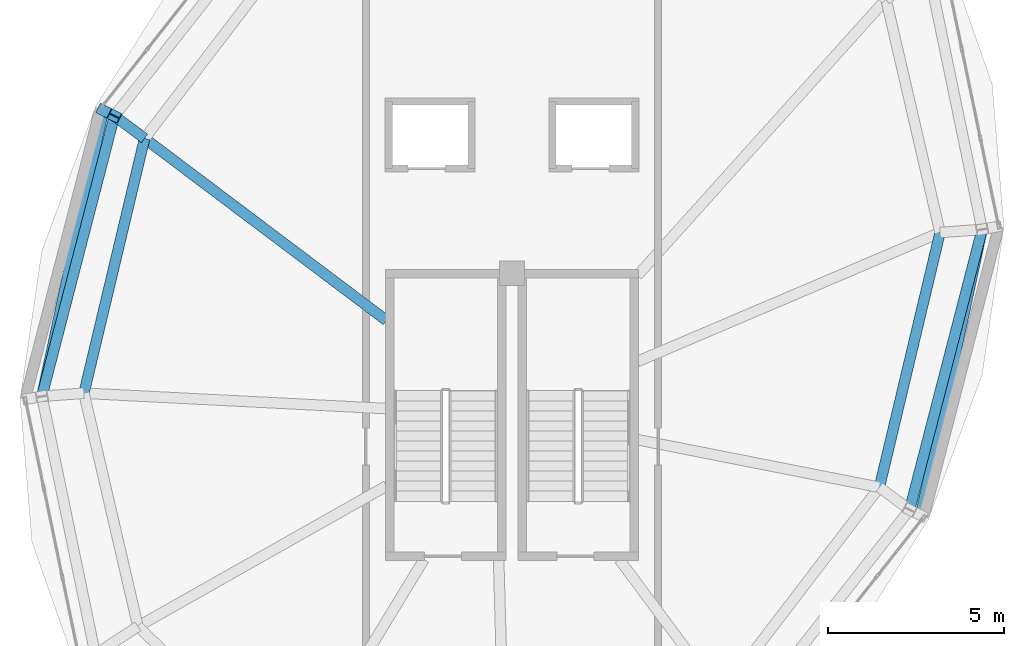
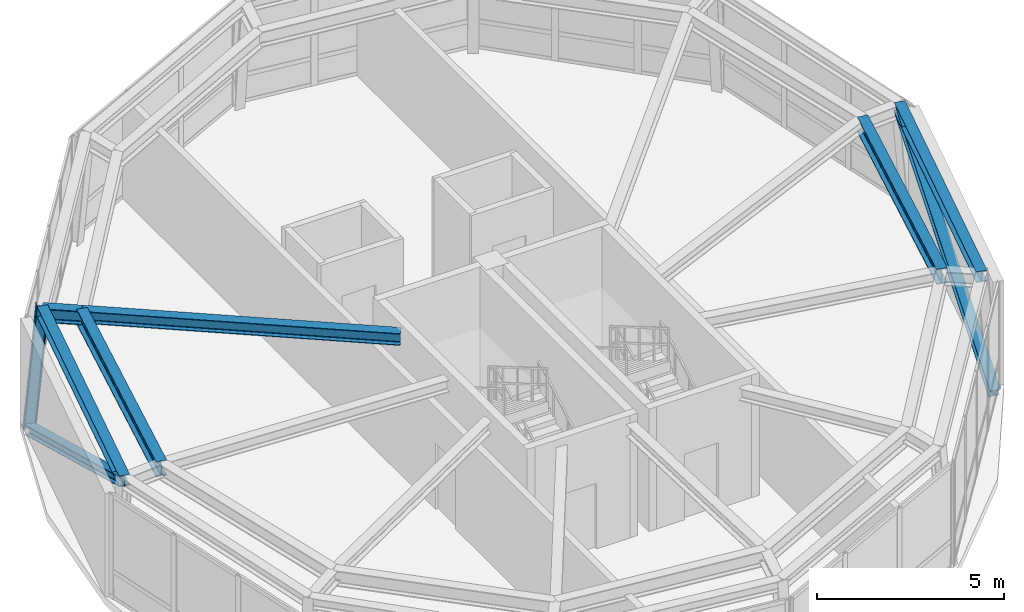
# One storey, part 5 of 11: 6 beams, 3 members.
"""IFC4 building model written with IfcOpenShell, lengths in metres."""

from ifc_helpers import new_model, si_unit, direction, frame, origin, origin_2d, place, context, subcontext, project, spatial, i_section, extrude, material, material_profile, profile_set, type_object, element, save


model = new_model("IFC4")

# Units and contexts
model_context = context("Model", 3, precision=1e-05, world=origin(), true_north=direction((0.0, 1.0)))
body_context = subcontext(model_context, "Body", "Model", "MODEL_VIEW")
ifc_project = project(units=[si_unit("LENGTHUNIT", "METRE"), si_unit("AREAUNIT", "SQUARE_METRE"), si_unit("VOLUMEUNIT", "CUBIC_METRE"), si_unit("PLANEANGLEUNIT", "RADIAN"), si_unit("MASSUNIT", "GRAM", prefix="KILO"), si_unit("THERMODYNAMICTEMPERATUREUNIT", "KELVIN"), si_unit("POWERUNIT", "WATT")], contexts=[model_context])

# Site, building, storey
site_placement = place(None, origin())
site = spatial("IfcSite", under=ifc_project, at=site_placement, CompositionType="ELEMENT")
building_placement = place(site_placement, origin())
building = spatial("IfcBuilding", under=site, at=building_placement, Name="Ocrelia Relay Tower", CompositionType="ELEMENT")
storey_placement = place(building_placement, frame((0.0, 0.0, 292.0)))
storey = spatial("IfcBuildingStorey", under=building, at=storey_placement, Name="L73", CompositionType="ELEMENT", Elevation=292.0)

# Beams
ifc_material = material(Name="Steel S355", Category="steel")
ifc_material_profile_1 = material_profile(ifc_material, i_section(OverallWidth=0.300048828125, OverallDepth=0.35009765625, WebThickness=0.010009765625, FlangeThickness=0.017578125, FilletRadius=0.027099609375, at=origin_2d()), Name="HEA 360")
ifc_profile_set_1 = profile_set([ifc_material_profile_1], Name="Steel S355")
beam_type_1 = type_object("IfcBeamType", Name="BM-HEA360", PredefinedType="SPANDREL", material=ifc_profile_set_1)
for number, where, z_axis, x_axis, name in (
    (1, (22.708984375, 31.592529296875, 3.574951171875), (-0.250489309692, -0.968119365435, 0.0), (0.968119365435, -0.250489309692, 0.0), "L73 Crown Faceted Ring Beam R04"),
    (2, (45.291015625, 20.407470703125, 3.574951171875), (0.250489309692, 0.968119365435, 0.0), (-0.968119365435, 0.250489309692, 0.0), "L73 Crown Faceted Ring Beam R10"),
):
    element("IfcBeam", number, at=place(storey_placement, frame(where, z_axis=z_axis, x_axis=x_axis)), inside=storey, type_object=beam_type_1, Name=name, PredefinedType="SPANDREL", context=body_context, shape_type="SweptSolid", body=[
        extrude(i_section(OverallWidth=0.300048828125, OverallDepth=0.35009765625, WebThickness=0.010009765625, FlangeThickness=0.017578125, FilletRadius=0.027099609375, at=origin_2d()), origin(), (0.0, 0.0, 1.0), 8.22509765625),
    ])
ifc_material_profile_2 = material_profile(ifc_material, i_section(OverallWidth=0.300048828125, OverallDepth=0.389892578125, WebThickness=0.010986328125, FlangeThickness=0.01904296875, FilletRadius=0.027099609375, at=origin_2d()), Name="HEA 400")
ifc_profile_set_2 = profile_set([ifc_material_profile_2], Name="Steel S355")
beam_type_2 = type_object("IfcBeamType", Name="BM-HEA400", PredefinedType="SPANDREL", material=ifc_profile_set_2)
beam_1_placement = place(storey_placement, frame((23.56640625, 30.9541015625, 3.554931640625), z_axis=(0.798942363643, -0.601407598536, 0.0), x_axis=(0.601407598536, 0.798942363643, 0.0)))
element("IfcBeam", 3, at=beam_1_placement, inside=storey, type_object=beam_type_2, Name="L73 Crown Radial Floor Beam 04", PredefinedType="SPANDREL", context=body_context, shape_type="SweptSolid", body=[
    extrude(i_section(OverallWidth=0.300048828125, OverallDepth=0.389892578125, WebThickness=0.010986328125, FlangeThickness=0.01904296875, FilletRadius=0.027099609375, at=origin_2d()), origin(), (0.0, 0.0, 1.0), 8.59716796875),
])
ifc_material_profile_3 = material_profile(ifc_material, i_section(OverallWidth=0.300048828125, OverallDepth=0.449951171875, WebThickness=0.013916015625, FlangeThickness=0.02587890625, FilletRadius=0.027099609375, at=origin_2d()), Name="HEB 450")
ifc_profile_set_3 = profile_set([ifc_material_profile_3], Name="Steel S355")
beam_type_3 = type_object("IfcBeamType", Name="BM-HEB450", PredefinedType="BEAM", material=ifc_profile_set_3)
beam_2_placement = place(storey_placement, frame((22.708984375, 31.592529296875, 3.52490234375), z_axis=(0.8020780247, -0.597219258141, 0.0), x_axis=(0.597219258141, 0.8020780247, 0.0)))
element("IfcBeam", 4, at=beam_2_placement, inside=storey, type_object=beam_type_3, Name="L73 Crown Step Radial Beam ST04", PredefinedType="BEAM", context=body_context, shape_type="SweptSolid", body=[
    extrude(i_section(OverallWidth=0.300048828125, OverallDepth=0.449951171875, WebThickness=0.013916015625, FlangeThickness=0.02587890625, FilletRadius=0.027099609375, at=origin_2d()), origin(), (0.0, 0.0, 1.0), 1.069091796875),
])
ifc_material_profile_4 = material_profile(ifc_material, i_section(OverallWidth=0.300048828125, OverallDepth=0.5, WebThickness=0.014404296875, FlangeThickness=0.028076171875, FilletRadius=0.027099609375, at=origin_2d()), Name="HEB 500")
ifc_profile_set_4 = profile_set([ifc_material_profile_4], Name="Steel S355")
beam_type_4 = type_object("IfcBeamType", Name="BM-HEB500", PredefinedType="BEAM", material=ifc_profile_set_4)
for number, where, z_axis, x_axis, name in (
    (5, (23.56640625, 30.9541015625, 3.5), (-0.231614610313, -0.972807623474, 0.0), (0.972807623474, -0.231614610313, 0.0), "L73 Crown Step Perimeter Ring Beam SR04"),
    (6, (44.43359375, 21.0458984375, 3.5), (0.231614610313, 0.972807623474, 0.0), (-0.972807623474, 0.231614610313, 0.0), "L73 Crown Step Perimeter Ring Beam SR10"),
):
    element("IfcBeam", number, at=place(storey_placement, frame(where, z_axis=z_axis, x_axis=x_axis)), inside=storey, type_object=beam_type_4, Name=name, PredefinedType="BEAM", context=body_context, shape_type="SweptSolid", body=[
        extrude(i_section(OverallWidth=0.300048828125, OverallDepth=0.5, WebThickness=0.014404296875, FlangeThickness=0.028076171875, FilletRadius=0.027099609375, at=origin_2d()), origin(), (0.0, 0.0, 1.0), 7.4375),
    ])

# Members
ifc_material_profile_5 = material_profile(ifc_material, i_section(OverallWidth=0.300048828125, OverallDepth=0.300048828125, WebThickness=0.010986328125, FlangeThickness=0.01904296875, FilletRadius=0.027099609375, at=origin_2d()), Name="HEB 300")
ifc_profile_set_5 = profile_set([ifc_material_profile_5], Name="Steel S355")
member_type_1 = type_object("IfcMemberType", Name="MB-CROWN-DIAG", PredefinedType="BRACE", material=ifc_profile_set_5)
for number, where, z_axis, x_axis, name in (
    (7, (22.3955078125, 31.747802734375, -0.25), (-0.191065507858, -0.887953915764, 0.418368037961), (0.977623937017, -0.210360257108, 0.0), "L73 Crown Bracing Diagonal CD04"),
    (8, (45.6044921875, 20.252197265625, -0.25), (0.191065507858, 0.887953915764, 0.418368037961), (-0.977623937017, 0.210360257108, 0.0), "L73 Crown Bracing Diagonal CD10"),
):
    element("IfcMember", number, at=place(storey_placement, frame(where, z_axis=z_axis, x_axis=x_axis)), inside=storey, type_object=member_type_1, Name=name, PredefinedType="BRACE", context=body_context, shape_type="SweptSolid", body=[
        extrude(i_section(OverallWidth=0.300048828125, OverallDepth=0.300048828125, WebThickness=0.010986328125, FlangeThickness=0.01904296875, FilletRadius=0.027099609375, at=origin_2d()), origin(), (0.0, 0.0, 1.0), 9.142578125),
    ])
ifc_material_profile_6 = material_profile(ifc_material, i_section(OverallWidth=0.300048828125, OverallDepth=0.340087890625, WebThickness=0.011962890625, FlangeThickness=0.021484375, FilletRadius=0.027099609375, at=origin_2d()), Name="HEB 340")
ifc_profile_set_6 = profile_set([ifc_material_profile_6], Name="Steel S355")
member_type_2 = type_object("IfcMemberType", Name="MB-CROWN-RIB", PredefinedType="STRUT", material=ifc_profile_set_6)
member_placement = place(storey_placement, frame((22.3955078125, 31.747802734375, -0.25), z_axis=(0.078071142385, -0.03867075277, 0.996197505321), x_axis=(0.443860567831, 0.896095863357, 0.0)))
element("IfcMember", 9, at=member_placement, inside=storey, type_object=member_type_2, Name="L73 Crown Faceted Structural Strut Rib CR04", PredefinedType="STRUT", context=body_context, shape_type="SweptSolid", body=[
    extrude(i_section(OverallWidth=0.300048828125, OverallDepth=0.340087890625, WebThickness=0.011962890625, FlangeThickness=0.021484375, FilletRadius=0.027099609375, at=origin_2d()), origin(), (0.0, 0.0, 1.0), 4.015380859375),
])

save(model, "model.ifc")
